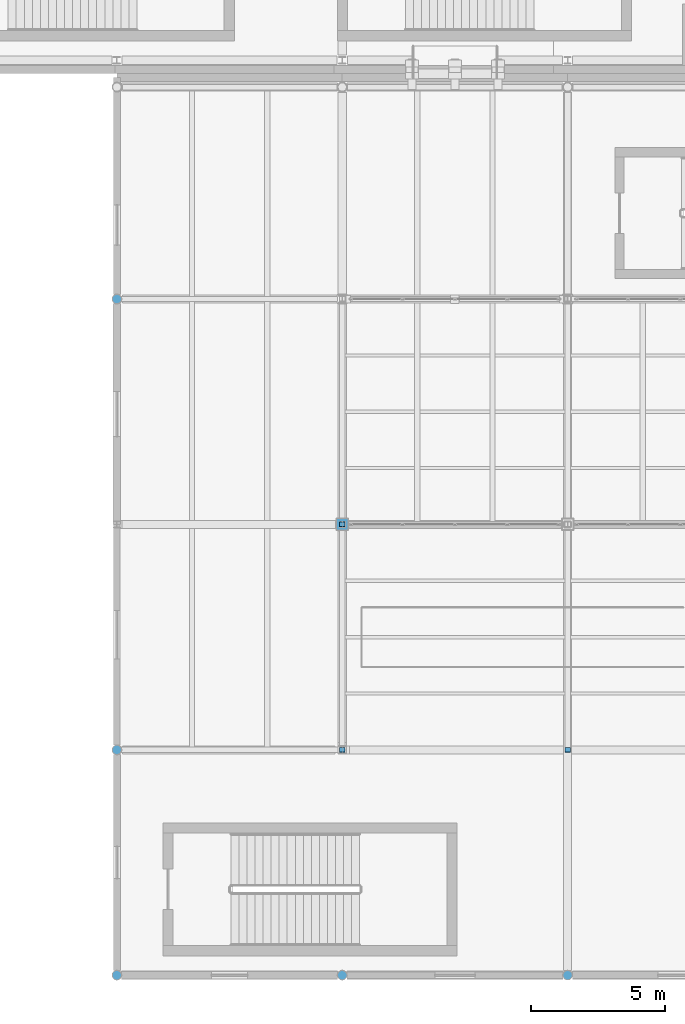
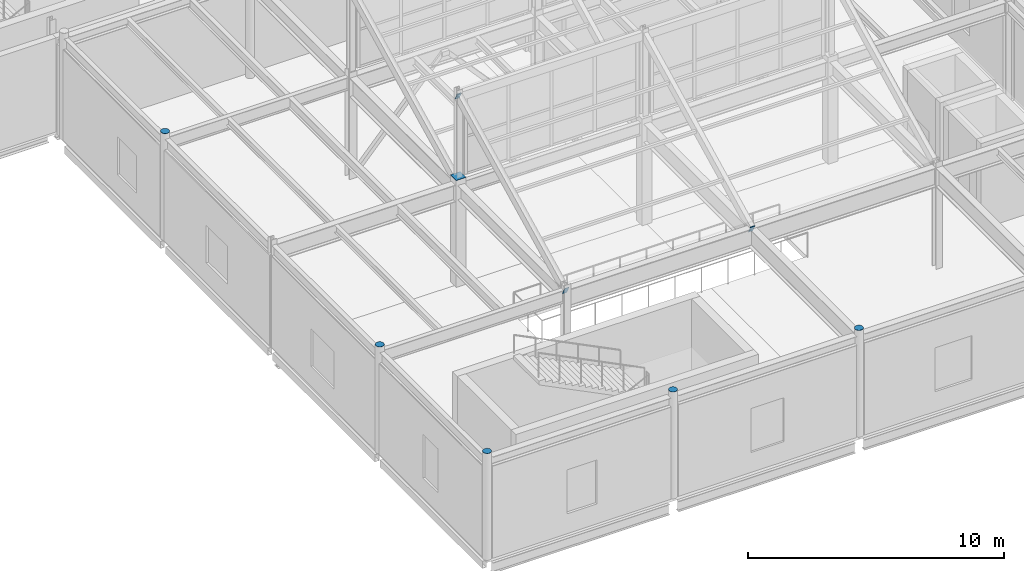
# One storey, part 74 of 91: 9 discrete accessories.
"""IFC4 building model written with IfcOpenShell, lengths in metres."""

import ifcopenshell
import ifcopenshell.guid

model = None  # the IFC model being written
_history = None  # IfcOwnerHistory: only IFC2X3 demands one
_inside = {}  # id of a spatial element -> (the spatial element, [elements in it])
_under = {}  # id of a project, library or spatial element -> (it, [spatial elements below it])
_declared = {}  # id of a project -> (the project, [libraries it declares])
_typed = {}  # id of a type object -> (the type object, [elements of that type])
_made_of = {}  # id of a material, layer set ... -> (it, [elements and type objects made of it])


def new_model(schema):
    """Start an empty IFC model of exactly this schema.

    Asked for "IFC4X3", IfcOpenShell would pick the latest addendum, in which some entities
    have other attributes; the version numbers below select the first issue.
    IFC2X3 requires an IfcOwnerHistory on every rooted entity: one is made here for all.
    """
    global model, _history
    if schema == "IFC4X3":
        model = ifcopenshell.file(schema_version=(4, 3, 0, 0))
    else:
        model = ifcopenshell.file(schema=schema)
    _inside.clear()
    _under.clear()
    _declared.clear()
    _typed.clear()
    _made_of.clear()
    _history = None
    if model.schema == "IFC2X3":
        org = make("IfcOrganization", Name="unknown")
        user = make(
            "IfcPersonAndOrganization",
            ThePerson=make("IfcPerson", FamilyName="unknown"),
            TheOrganization=org,
        )
        app = make(
            "IfcApplication",
            ApplicationDeveloper=org,
            Version="unknown",
            ApplicationFullName="unknown",
            ApplicationIdentifier="unknown",
        )
        _history = make(
            "IfcOwnerHistory",
            OwningUser=user,
            OwningApplication=app,
            ChangeAction="ADDED",
            CreationDate=0,
        )
    return model


def make(cls, **values):
    """One entity of the class cls with the attributes given. An attribute that is None is left unset."""
    return model.create_entity(
        cls, **{name: value for name, value in values.items() if value is not None}
    )


def rooted(cls, **values):
    """An entity with a GlobalId (a new one), such as an element, a storey or a relation."""
    return make(cls, GlobalId=ifcopenshell.guid.new(), OwnerHistory=_history, **values)


def si_unit(unit_type, name, prefix=None):
    """IfcSIUnit, for example si_unit("LENGTHUNIT", "METRE", prefix="MILLI")."""
    return make("IfcSIUnit", UnitType=unit_type, Prefix=prefix, Name=name)


def assignment(units):
    """IfcUnitAssignment: the units of a project."""
    return None if units is None else make("IfcUnitAssignment", Units=units)


def point(xyz):
    """IfcCartesianPoint."""
    return None if xyz is None else make("IfcCartesianPoint", Coordinates=xyz)


def direction(xyz):
    """IfcDirection."""
    return None if xyz is None else make("IfcDirection", DirectionRatios=xyz)


def frame(location, z_axis=None, x_axis=None):
    """IfcAxis2Placement3D, a coordinate frame: its origin and axes. An axis left out is left unset."""
    return make(
        "IfcAxis2Placement3D",
        Location=point(location),
        Axis=direction(z_axis),
        RefDirection=direction(x_axis),
    )


def frame_2d(location, x_axis=None):
    """IfcAxis2Placement2D, a coordinate frame in the plane: its origin and x axis."""
    return make(
        "IfcAxis2Placement2D", Location=point(location), RefDirection=direction(x_axis)
    )


def origin():
    """The frame at (0, 0, 0) with its axes left unset."""
    return frame((0.0, 0.0, 0.0))


def origin_2d():
    """The frame at (0, 0) in the plane with its x axis left unset."""
    return frame_2d((0.0, 0.0))


def place(relative_to, where):
    """IfcLocalPlacement: puts the frame where relative to a parent placement (None: the world)."""
    return make(
        "IfcLocalPlacement", PlacementRelTo=relative_to, RelativePlacement=where
    )


def context(
    kind, dimensions, precision=None, world=None, true_north=None, identifier=None
):
    """IfcGeometricRepresentationContext, for example the 3D "Model" context."""
    return make(
        "IfcGeometricRepresentationContext",
        ContextIdentifier=identifier,
        ContextType=kind,
        CoordinateSpaceDimension=dimensions,
        Precision=precision,
        WorldCoordinateSystem=world,
        TrueNorth=true_north,
    )


def subcontext(parent, identifier, kind, view, scale=None):
    """IfcGeometricRepresentationSubContext, for example "Body" below "Model"."""
    return make(
        "IfcGeometricRepresentationSubContext",
        ContextIdentifier=identifier,
        ContextType=kind,
        ParentContext=parent,
        TargetScale=scale,
        TargetView=view,
    )


def project(units=None, contexts=None):
    """IfcProject with its units and contexts."""
    return rooted(
        "IfcProject",
        Name="project",
        RepresentationContexts=contexts,
        UnitsInContext=assignment(units),
    )


def spatial(cls, under=None, at=None, **own):
    """A site, building, storey or space (cls), placed at a placement, below another one or the project."""
    s = rooted(cls, ObjectPlacement=at, **own)
    if under is not None:
        _under.setdefault(under.id(), (under, []))[1].append(s)
    return s


def profile(cls, at=None, kind="AREA", **sizes):
    """A parametric profile (cls). Its sizes go by their IFC names, for example OverallWidth=200.0."""
    return make(cls, ProfileType=kind, Position=at, **sizes)


def rectangle(**sizes):
    """IfcRectangleProfileDef."""
    return profile("IfcRectangleProfileDef", **sizes)


def circle(**sizes):
    """IfcCircleProfileDef."""
    return profile("IfcCircleProfileDef", **sizes)


def extrude(swept, where, along, depth):
    """IfcExtrudedAreaSolid: the profile swept, set in the frame where, extruded along a direction by depth."""
    return make(
        "IfcExtrudedAreaSolid",
        SweptArea=swept,
        Position=where,
        ExtrudedDirection=direction(along),
        Depth=depth,
    )


def shape(context_of_items, identifier, shape_type, items):
    """IfcShapeRepresentation: the items that make up one representation, for example the "Body"."""
    return make(
        "IfcShapeRepresentation",
        ContextOfItems=context_of_items,
        RepresentationIdentifier=identifier,
        RepresentationType=shape_type,
        Items=items,
    )


def material(Name=None, Category=None):
    """IfcMaterial."""
    return make("IfcMaterial", Name=Name, Category=Category)


def made_of(thing, what):
    """Note that an element or type object is made of a material, layer set ...; save() writes the relation."""
    if what is not None:
        _made_of.setdefault(what.id(), (what, []))[1].append(thing)
    return thing


def type_object(cls, material=None, **own):
    """A type object (cls), such as IfcWallType, which elements share."""
    return made_of(rooted(cls, **own), material)


def element(
    cls,
    number,
    at=None,
    inside=None,
    cuts=None,
    type_object=None,
    material=None,
    context=None,
    identifier="Body",
    shape_type=None,
    held_by="IfcProductDefinitionShape",
    body=None,
    shapes=None,
    **own,
):
    """One element of the class cls, such as IfcWall. Its Tag is "e" and its number.

    at: its placement. inside: the storey or other place that contains it. cuts: it is an
    opening in that element (IfcRelVoidsElement). A single representation is given by context,
    identifier, shape_type and body (its items); several are given by shapes. held_by: the class
    of the entity that holds the representations. save() writes the other relations.
    """
    e = rooted(cls, Tag="e%d" % number, ObjectPlacement=at, **own)
    if body is not None:
        shapes = [shape(context, identifier, shape_type, body)]
    if shapes is not None:
        e.Representation = make(held_by, Representations=shapes)
    if inside is not None:
        _inside.setdefault(inside.id(), (inside, []))[1].append(e)
    if cuts is not None:
        rooted(
            "IfcRelVoidsElement", RelatingBuildingElement=cuts, RelatedOpeningElement=e
        )
    if type_object is not None:
        _typed.setdefault(type_object.id(), (type_object, []))[1].append(e)
    return made_of(e, material)


def aggregate(whole, parts):
    """IfcRelAggregates: a whole, such as a stair, and the parts it consists of."""
    return rooted("IfcRelAggregates", RelatingObject=whole, RelatedObjects=parts)


def save(model, path):
    """Write the relations noted so far, then the file.

    IfcRelAggregates (storeys below a building ...), IfcRelContainedInSpatialStructure (elements
    in a storey), IfcRelDefinesByType, IfcRelAssociatesMaterial and IfcRelDeclares: one each for
    every whole, place, type object, material and project.
    """
    for whole, parts in _under.values():
        aggregate(whole, parts)
    for where, things in _inside.values():
        rooted(
            "IfcRelContainedInSpatialStructure",
            RelatedElements=things,
            RelatingStructure=where,
        )
    for kind, things in _typed.values():
        rooted("IfcRelDefinesByType", RelatedObjects=things, RelatingType=kind)
    for what, things in _made_of.values():
        rooted("IfcRelAssociatesMaterial", RelatedObjects=things, RelatingMaterial=what)
    for by, libraries in _declared.values():
        rooted("IfcRelDeclares", RelatingContext=by, RelatedDefinitions=libraries)
    model.write(path)


model = new_model("IFC4")

# Units and contexts
model_context = context("Model", 3, precision=1e-05, world=origin(), true_north=direction((0.0, 1.0)))
body_context = subcontext(model_context, "Body", "Model", "MODEL_VIEW")
ifc_project = project(units=[si_unit("LENGTHUNIT", "METRE"), si_unit("AREAUNIT", "SQUARE_METRE"), si_unit("VOLUMEUNIT", "CUBIC_METRE"), si_unit("PLANEANGLEUNIT", "RADIAN"), si_unit("MASSUNIT", "GRAM", prefix="KILO"), si_unit("THERMODYNAMICTEMPERATUREUNIT", "KELVIN")], contexts=[model_context])

# Site, building, storey
site_placement = place(None, origin())
site = spatial("IfcSite", under=ifc_project, at=site_placement, CompositionType="ELEMENT")
building_placement = place(site_placement, origin())
building = spatial("IfcBuilding", under=site, at=building_placement, Name="Lustrewick Department Store", CompositionType="ELEMENT")
storey_placement = place(building_placement, frame((0.0, 0.0, 21.60009765625)))
storey = spatial("IfcBuildingStorey", under=building, at=storey_placement, Name="L05", CompositionType="ELEMENT", Elevation=21.60009765625)

# Discrete accessories
ifc_material = material(Name="Structural steel Q355C", Category="steel")
discrete_accessory_type = type_object("IfcDiscreteAccessoryType", Name="ECP-01", PredefinedType="USERDEFINED", material=ifc_material)
for number, where, z_axis, x_axis, name in (
    (1, (117.60009765625, 42.0, 5.09375), (0.0, 0.0, 1.0), (1.0, 0.0, 0.0), "L05 Welded Hollow-Section End-Cap Plate ECP-01"),
    (2, (134.39990234375, 16.800048828125, 5.09375), (0.0, 0.0, 1.0), (1.0, 0.0, 0.0), "L05 Welded Hollow-Section End-Cap Plate ECP-01"),
    (3, (126.0, 16.800048828125, 5.09375), (0.0, 0.0, 1.0), (1.0, 0.0, 0.0), "L05 Welded Hollow-Section End-Cap Plate ECP-01"),
):
    element("IfcDiscreteAccessory", number, at=place(storey_placement, frame(where, z_axis=z_axis, x_axis=x_axis)), inside=storey, type_object=discrete_accessory_type, Name=name, ObjectType="END_CAP_PLATE", PredefinedType="USERDEFINED", context=body_context, shape_type="SweptSolid", body=[
        extrude(circle(Radius=0.177978515625, at=origin_2d()), origin(), (0.0, 0.0, 1.0), 0.01611328125),
    ])
discrete_accessory_1_placement = place(storey_placement, frame((134.39990234375, 25.205322265625, 4.74267578125), z_axis=(0.0, -0.89443239007, -0.447203197209), x_axis=(-1.0, 0.0, 0.0)))
element("IfcDiscreteAccessory", 4, at=discrete_accessory_1_placement, inside=storey, type_object=discrete_accessory_type, Name="L05 Welded Hollow-Section End-Cap Plate ECP-01", ObjectType="END_CAP_PLATE", PredefinedType="USERDEFINED", context=body_context, shape_type="SweptSolid", body=[
    extrude(rectangle(XDim=0.199951171875, YDim=0.39990234375, at=origin_2d()), origin(), (0.0, 0.0, 1.0), 0.01611328125),
])
discrete_accessory_2_placement = place(storey_placement, frame((117.60009765625, 16.800048828125, 5.09375), z_axis=(0.0, 0.0, 1.0), x_axis=(1.0, 0.0, 0.0)))
element("IfcDiscreteAccessory", 5, at=discrete_accessory_2_placement, inside=storey, type_object=discrete_accessory_type, Name="L05 Welded Hollow-Section End-Cap Plate ECP-01", ObjectType="END_CAP_PLATE", PredefinedType="USERDEFINED", context=body_context, shape_type="SweptSolid", body=[
    extrude(circle(Radius=0.177978515625, at=origin_2d()), origin(), (0.0, 0.0, 1.0), 0.01611328125),
])
discrete_accessory_3_placement = place(storey_placement, frame((126.0, 33.60009765625, 5.09375), z_axis=(0.0, 0.0, 1.0), x_axis=(1.0, 0.0, 0.0)))
element("IfcDiscreteAccessory", 6, at=discrete_accessory_3_placement, inside=storey, type_object=discrete_accessory_type, Name="L05 Welded Hollow-Section End-Cap Plate ECP-01", ObjectType="END_CAP_PLATE", PredefinedType="USERDEFINED", context=body_context, shape_type="SweptSolid", body=[
    extrude(rectangle(XDim=0.449951171875, YDim=0.449951171875, at=origin_2d()), origin(), (0.0, 0.0, 1.0), 0.01611328125),
])
discrete_accessory_4_placement = place(storey_placement, frame((117.60009765625, 25.199951171875, 5.09375), z_axis=(0.0, 0.0, 1.0), x_axis=(1.0, 0.0, 0.0)))
element("IfcDiscreteAccessory", 7, at=discrete_accessory_4_placement, inside=storey, type_object=discrete_accessory_type, Name="L05 Welded Hollow-Section End-Cap Plate ECP-01", ObjectType="END_CAP_PLATE", PredefinedType="USERDEFINED", context=body_context, shape_type="SweptSolid", body=[
    extrude(circle(Radius=0.177978515625, at=origin_2d()), origin(), (0.0, 0.0, 1.0), 0.01611328125),
])
for number, where, z_axis, x_axis, name in (
    (8, (126.0, 33.5947265625, 8.937255859375), (0.0, 0.89443239007, 0.447203197209), (-1.0, 0.0, 0.0), "L05 Welded Hollow-Section End-Cap Plate ECP-01"),
    (9, (126.0, 25.205322265625, 4.74267578125), (0.0, -0.89443239007, -0.447203197209), (-1.0, 0.0, 0.0), "L05 Welded Hollow-Section End-Cap Plate ECP-01"),
):
    element("IfcDiscreteAccessory", number, at=place(storey_placement, frame(where, z_axis=z_axis, x_axis=x_axis)), inside=storey, type_object=discrete_accessory_type, Name=name, ObjectType="END_CAP_PLATE", PredefinedType="USERDEFINED", context=body_context, shape_type="SweptSolid", body=[
        extrude(rectangle(XDim=0.199951171875, YDim=0.39990234375, at=origin_2d()), origin(), (0.0, 0.0, 1.0), 0.01611328125),
    ])

save(model, "model.ifc")
